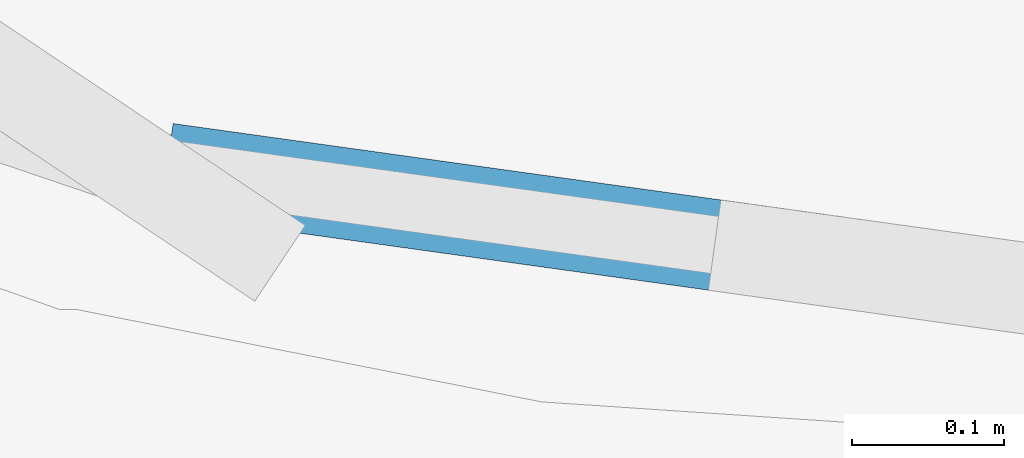
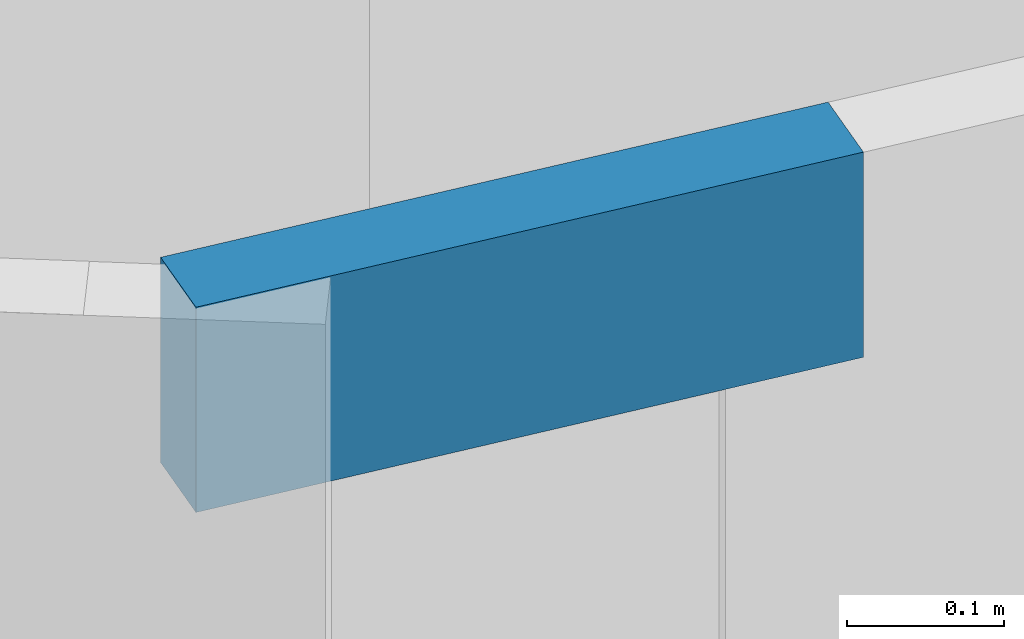
# One storey, part 19 of 38: 1 member, 1 element without a shape of its own.
"""IFC4 building model written with IfcOpenShell, lengths in metres."""

import ifcopenshell
import ifcopenshell.guid

model = None  # the IFC model being written
_history = None  # IfcOwnerHistory: only IFC2X3 demands one
_inside = {}  # id of a spatial element -> (the spatial element, [elements in it])
_under = {}  # id of a project, library or spatial element -> (it, [spatial elements below it])
_declared = {}  # id of a project -> (the project, [libraries it declares])
_typed = {}  # id of a type object -> (the type object, [elements of that type])
_made_of = {}  # id of a material, layer set ... -> (it, [elements and type objects made of it])


def new_model(schema):
    """Start an empty IFC model of exactly this schema.

    Asked for "IFC4X3", IfcOpenShell would pick the latest addendum, in which some entities
    have other attributes; the version numbers below select the first issue.
    IFC2X3 requires an IfcOwnerHistory on every rooted entity: one is made here for all.
    """
    global model, _history
    if schema == "IFC4X3":
        model = ifcopenshell.file(schema_version=(4, 3, 0, 0))
    else:
        model = ifcopenshell.file(schema=schema)
    _inside.clear()
    _under.clear()
    _declared.clear()
    _typed.clear()
    _made_of.clear()
    _history = None
    if model.schema == "IFC2X3":
        org = make("IfcOrganization", Name="unknown")
        user = make(
            "IfcPersonAndOrganization",
            ThePerson=make("IfcPerson", FamilyName="unknown"),
            TheOrganization=org,
        )
        app = make(
            "IfcApplication",
            ApplicationDeveloper=org,
            Version="unknown",
            ApplicationFullName="unknown",
            ApplicationIdentifier="unknown",
        )
        _history = make(
            "IfcOwnerHistory",
            OwningUser=user,
            OwningApplication=app,
            ChangeAction="ADDED",
            CreationDate=0,
        )
    return model


def make(cls, **values):
    """One entity of the class cls with the attributes given. An attribute that is None is left unset."""
    return model.create_entity(
        cls, **{name: value for name, value in values.items() if value is not None}
    )


def rooted(cls, **values):
    """An entity with a GlobalId (a new one), such as an element, a storey or a relation."""
    return make(cls, GlobalId=ifcopenshell.guid.new(), OwnerHistory=_history, **values)


def si_unit(unit_type, name, prefix=None):
    """IfcSIUnit, for example si_unit("LENGTHUNIT", "METRE", prefix="MILLI")."""
    return make("IfcSIUnit", UnitType=unit_type, Prefix=prefix, Name=name)


def assignment(units):
    """IfcUnitAssignment: the units of a project."""
    return None if units is None else make("IfcUnitAssignment", Units=units)


def point(xyz):
    """IfcCartesianPoint."""
    return None if xyz is None else make("IfcCartesianPoint", Coordinates=xyz)


def direction(xyz):
    """IfcDirection."""
    return None if xyz is None else make("IfcDirection", DirectionRatios=xyz)


def frame(location, z_axis=None, x_axis=None):
    """IfcAxis2Placement3D, a coordinate frame: its origin and axes. An axis left out is left unset."""
    return make(
        "IfcAxis2Placement3D",
        Location=point(location),
        Axis=direction(z_axis),
        RefDirection=direction(x_axis),
    )


def frame_2d(location, x_axis=None):
    """IfcAxis2Placement2D, a coordinate frame in the plane: its origin and x axis."""
    return make(
        "IfcAxis2Placement2D", Location=point(location), RefDirection=direction(x_axis)
    )


def origin():
    """The frame at (0, 0, 0) with its axes left unset."""
    return frame((0.0, 0.0, 0.0))


def origin_2d():
    """The frame at (0, 0) in the plane with its x axis left unset."""
    return frame_2d((0.0, 0.0))


def place(relative_to, where):
    """IfcLocalPlacement: puts the frame where relative to a parent placement (None: the world)."""
    return make(
        "IfcLocalPlacement", PlacementRelTo=relative_to, RelativePlacement=where
    )


def context(
    kind, dimensions, precision=None, world=None, true_north=None, identifier=None
):
    """IfcGeometricRepresentationContext, for example the 3D "Model" context."""
    return make(
        "IfcGeometricRepresentationContext",
        ContextIdentifier=identifier,
        ContextType=kind,
        CoordinateSpaceDimension=dimensions,
        Precision=precision,
        WorldCoordinateSystem=world,
        TrueNorth=true_north,
    )


def subcontext(parent, identifier, kind, view, scale=None):
    """IfcGeometricRepresentationSubContext, for example "Body" below "Model"."""
    return make(
        "IfcGeometricRepresentationSubContext",
        ContextIdentifier=identifier,
        ContextType=kind,
        ParentContext=parent,
        TargetScale=scale,
        TargetView=view,
    )


def project(units=None, contexts=None):
    """IfcProject with its units and contexts."""
    return rooted(
        "IfcProject",
        Name="project",
        RepresentationContexts=contexts,
        UnitsInContext=assignment(units),
    )


def spatial(cls, under=None, at=None, **own):
    """A site, building, storey or space (cls), placed at a placement, below another one or the project."""
    s = rooted(cls, ObjectPlacement=at, **own)
    if under is not None:
        _under.setdefault(under.id(), (under, []))[1].append(s)
    return s


def profile(cls, at=None, kind="AREA", **sizes):
    """A parametric profile (cls). Its sizes go by their IFC names, for example OverallWidth=200.0."""
    return make(cls, ProfileType=kind, Position=at, **sizes)


def rectangle(**sizes):
    """IfcRectangleProfileDef."""
    return profile("IfcRectangleProfileDef", **sizes)


def extrude(swept, where, along, depth):
    """IfcExtrudedAreaSolid: the profile swept, set in the frame where, extruded along a direction by depth."""
    return make(
        "IfcExtrudedAreaSolid",
        SweptArea=swept,
        Position=where,
        ExtrudedDirection=direction(along),
        Depth=depth,
    )


def shape(context_of_items, identifier, shape_type, items):
    """IfcShapeRepresentation: the items that make up one representation, for example the "Body"."""
    return make(
        "IfcShapeRepresentation",
        ContextOfItems=context_of_items,
        RepresentationIdentifier=identifier,
        RepresentationType=shape_type,
        Items=items,
    )


def material(Name=None, Category=None):
    """IfcMaterial."""
    return make("IfcMaterial", Name=Name, Category=Category)


def layer(
    of_material, thickness, ventilated=None, Name=None, Category=None, Priority=None
):
    """IfcMaterialLayer: one layer of a wall or slab, of a material (None: an air gap)."""
    return make(
        "IfcMaterialLayer",
        Material=of_material,
        LayerThickness=thickness,
        IsVentilated=ventilated,
        Name=Name,
        Category=Category,
        Priority=Priority,
    )


def layer_set(layers, Name=None):
    """IfcMaterialLayerSet."""
    return make("IfcMaterialLayerSet", MaterialLayers=layers, LayerSetName=Name)


def material_profile(
    of_material, cross_section, Name=None, Category=None, Priority=None
):
    """IfcMaterialProfile: a cross section and its material."""
    return make(
        "IfcMaterialProfile",
        Name=Name,
        Material=of_material,
        Profile=cross_section,
        Priority=Priority,
        Category=Category,
    )


def profile_set(profiles, Name=None, composite=None):
    """IfcMaterialProfileSet."""
    return make(
        "IfcMaterialProfileSet",
        Name=Name,
        MaterialProfiles=profiles,
        CompositeProfile=composite,
    )


def made_of(thing, what):
    """Note that an element or type object is made of a material, layer set ...; save() writes the relation."""
    if what is not None:
        _made_of.setdefault(what.id(), (what, []))[1].append(thing)
    return thing


def type_object(cls, material=None, **own):
    """A type object (cls), such as IfcWallType, which elements share."""
    return made_of(rooted(cls, **own), material)


def element(
    cls,
    number,
    at=None,
    inside=None,
    cuts=None,
    type_object=None,
    material=None,
    context=None,
    identifier="Body",
    shape_type=None,
    held_by="IfcProductDefinitionShape",
    body=None,
    shapes=None,
    **own,
):
    """One element of the class cls, such as IfcWall. Its Tag is "e" and its number.

    at: its placement. inside: the storey or other place that contains it. cuts: it is an
    opening in that element (IfcRelVoidsElement). A single representation is given by context,
    identifier, shape_type and body (its items); several are given by shapes. held_by: the class
    of the entity that holds the representations. save() writes the other relations.
    """
    e = rooted(cls, Tag="e%d" % number, ObjectPlacement=at, **own)
    if body is not None:
        shapes = [shape(context, identifier, shape_type, body)]
    if shapes is not None:
        e.Representation = make(held_by, Representations=shapes)
    if inside is not None:
        _inside.setdefault(inside.id(), (inside, []))[1].append(e)
    if cuts is not None:
        rooted(
            "IfcRelVoidsElement", RelatingBuildingElement=cuts, RelatedOpeningElement=e
        )
    if type_object is not None:
        _typed.setdefault(type_object.id(), (type_object, []))[1].append(e)
    return made_of(e, material)


def aggregate(whole, parts):
    """IfcRelAggregates: a whole, such as a stair, and the parts it consists of."""
    return rooted("IfcRelAggregates", RelatingObject=whole, RelatedObjects=parts)


def save(model, path):
    """Write the relations noted so far, then the file.

    IfcRelAggregates (storeys below a building ...), IfcRelContainedInSpatialStructure (elements
    in a storey), IfcRelDefinesByType, IfcRelAssociatesMaterial and IfcRelDeclares: one each for
    every whole, place, type object, material and project.
    """
    for whole, parts in _under.values():
        aggregate(whole, parts)
    for where, things in _inside.values():
        rooted(
            "IfcRelContainedInSpatialStructure",
            RelatedElements=things,
            RelatingStructure=where,
        )
    for kind, things in _typed.values():
        rooted("IfcRelDefinesByType", RelatedObjects=things, RelatingType=kind)
    for what, things in _made_of.values():
        rooted("IfcRelAssociatesMaterial", RelatedObjects=things, RelatingMaterial=what)
    for by, libraries in _declared.values():
        rooted("IfcRelDeclares", RelatingContext=by, RelatedDefinitions=libraries)
    model.write(path)


model = new_model("IFC4")

# Units and contexts
model_context = context("Model", 3, precision=1e-05, world=origin(), true_north=direction((0.0, 1.0)))
body_context = subcontext(model_context, "Body", "Model", "MODEL_VIEW")
ifc_project = project(units=[si_unit("LENGTHUNIT", "METRE"), si_unit("AREAUNIT", "SQUARE_METRE"), si_unit("VOLUMEUNIT", "CUBIC_METRE"), si_unit("PLANEANGLEUNIT", "RADIAN"), si_unit("MASSUNIT", "GRAM", prefix="KILO")], contexts=[model_context])

# Site, building, storey
site_placement = place(None, origin())
site = spatial("IfcSite", under=ifc_project, at=site_placement, CompositionType="ELEMENT")
building_placement = place(site_placement, origin())
building = spatial("IfcBuilding", under=site, at=building_placement, Name="Kheshtan School and Residences Tower", CompositionType="ELEMENT")
storey_placement = place(building_placement, frame((0.0, 0.0, 203.300048828125)))
storey = spatial("IfcBuildingStorey", under=building, at=storey_placement, Name="L48", CompositionType="ELEMENT", Elevation=203.300048828125)

# Curtain wall, member
ifc_material_1 = material(Name="Clear low-e glass in thermally broken aluminium frame", Category="aluminium")
ifc_layer = layer(ifc_material_1, 0.25)
ifc_layer_set = layer_set([ifc_layer], Name="Curtain wall CW-K")
curtain_wall_type = type_object("IfcCurtainWallType", Name="Curtain wall CW-K", PredefinedType="NOTDEFINED", material=ifc_layer_set)
curtain_wall_placement = place(storey_placement, origin())
curtain_wall = element("IfcCurtainWall", 1, at=curtain_wall_placement, inside=storey, type_object=curtain_wall_type, Name="Curtain wall CWK3", PredefinedType="NOTDEFINED")
ifc_material_2 = material(Name="Thermally broken aluminium, dark bronze anodised", Category="aluminium")
ifc_material_profile = material_profile(ifc_material_2, rectangle(XDim=0.06005859375, YDim=0.159912109375, at=origin_2d()), Name="CW-K transom 60x160")
ifc_profile_set = profile_set([ifc_material_profile], Name="Thermally broken aluminium, dark bronze anodised")
member_type = type_object("IfcMemberType", Name="CW-K transom 60x160", PredefinedType="USERDEFINED", material=ifc_profile_set)
member_placement = place(storey_placement, frame((48.93896484375, 45.272705078125, 7.570068359375), z_axis=(0.990421791636, -0.138074887842, 0.0), x_axis=(0.138074887842, 0.990421791636, 0.0)))
member = element("IfcMember", 2, at=member_placement, type_object=member_type, Name="CWK3 transom 1", ObjectType="TRANSOM", PredefinedType="USERDEFINED", context=body_context, shape_type="SweptSolid", body=[
    extrude(rectangle(XDim=0.06005859375, YDim=0.159912109375, at=origin_2d()), origin(), (0.0, 0.0, 1.0), 0.459716796875),
])
aggregate(curtain_wall, [member])

save(model, "model.ifc")
